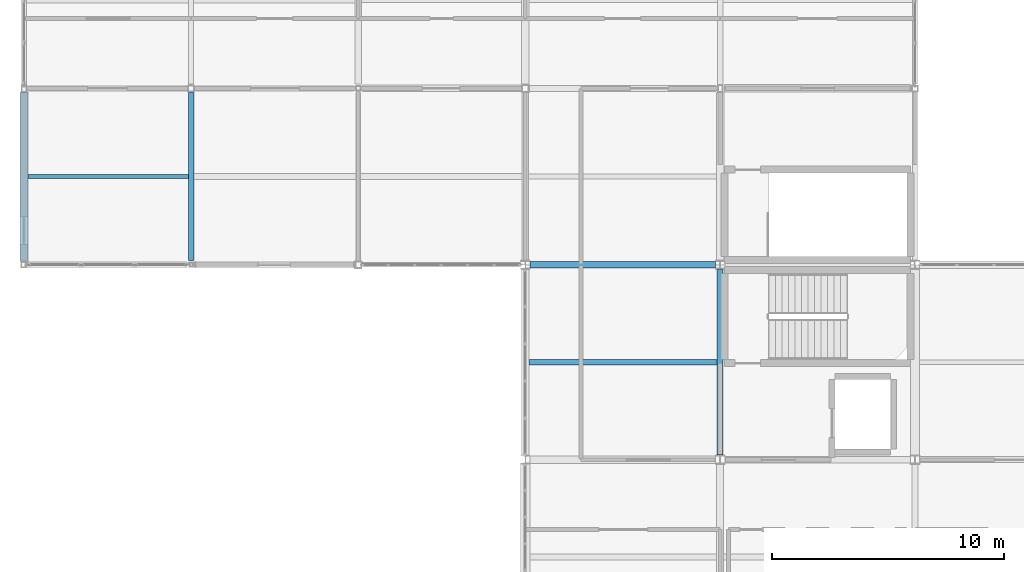
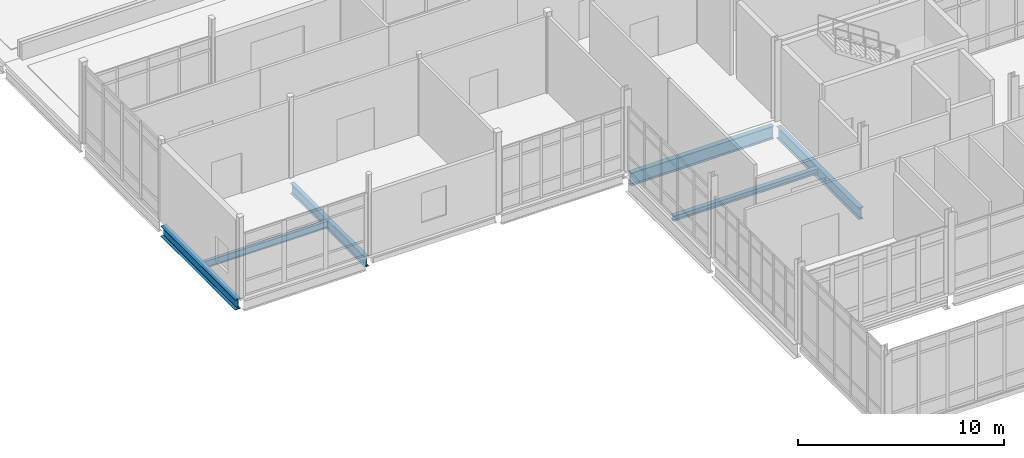
# One storey, part 32 of 186: 6 beams.
"""IFC4 building model written with IfcOpenShell, lengths in metres."""

from ifc_helpers import new_model, si_unit, direction, frame, origin, origin_2d, place, context, subcontext, project, spatial, i_section, extrude, material, material_profile, profile_set, type_object, element, save


model = new_model("IFC4")

# Units and contexts
model_context = context("Model", 3, precision=1e-05, world=origin(), true_north=direction((0.0, 1.0)))
body_context = subcontext(model_context, "Body", "Model", "MODEL_VIEW")
ifc_project = project(units=[si_unit("LENGTHUNIT", "METRE"), si_unit("AREAUNIT", "SQUARE_METRE"), si_unit("VOLUMEUNIT", "CUBIC_METRE"), si_unit("PLANEANGLEUNIT", "RADIAN"), si_unit("MASSUNIT", "GRAM", prefix="KILO")], contexts=[model_context])

# Site, building, storey
site_placement = place(None, origin())
site = spatial("IfcSite", under=ifc_project, at=site_placement, CompositionType="ELEMENT")
building_placement = place(site_placement, origin())
building = spatial("IfcBuilding", under=site, at=building_placement, Name="Calvrana Isthmian Art Gallery", CompositionType="ELEMENT")
storey_placement = place(building_placement, frame((0.0, 0.0, 5.39990234375)))
storey = spatial("IfcBuildingStorey", under=building, at=storey_placement, Name="L01", CompositionType="ELEMENT", Elevation=5.39990234375)

# Beams
ifc_material = material(Name="Steel ASTM A992 Gr 50", Category="steel")
ifc_material_profile_1 = material_profile(ifc_material, i_section(OverallWidth=0.324951171875, OverallDepth=0.612060546875, WebThickness=0.0126953125, FlangeThickness=0.01904296875, FilletRadius=0.02197265625, at=origin_2d()), Name="W24X104")
ifc_profile_set_1 = profile_set([ifc_material_profile_1], Name="Steel ASTM A992 Gr 50")
beam_type_1 = type_object("IfcBeamType", Name="BM-G-W24X104", PredefinedType="BEAM", material=ifc_profile_set_1)
beam_1_placement = place(storey_placement, frame((0.0, 46.986572265625, -0.55078125), z_axis=(0.0, 1.0, 0.0), x_axis=(-1.0, 0.0, 0.0)))
element("IfcBeam", 1, at=beam_1_placement, inside=storey, type_object=beam_type_1, Name="Girder Y L01 01/G-H", PredefinedType="BEAM", context=body_context, shape_type="SweptSolid", body=[
    extrude(i_section(OverallWidth=0.324951171875, OverallDepth=0.612060546875, WebThickness=0.0126953125, FlangeThickness=0.01904296875, FilletRadius=0.02197265625, at=origin_2d()), origin(), (0.0, 0.0, 1.0), 7.2353515625),
])
ifc_material_profile_2 = material_profile(ifc_material, i_section(OverallWidth=0.22802734375, OverallDepth=0.60693359375, WebThickness=0.01123046875, FlangeThickness=0.017333984375, FilletRadius=0.02197265625, at=origin_2d()), Name="W24X76")
ifc_profile_set_2 = profile_set([ifc_material_profile_2], Name="Steel ASTM A992 Gr 50")
beam_type_2 = type_object("IfcBeamType", Name="BM-G-W24X76", PredefinedType="BEAM", material=ifc_profile_set_2)
beam_2_placement = place(storey_placement, frame((7.199951171875, 46.98388671875, -0.54833984375), z_axis=(0.0, 1.0, 0.0), x_axis=(-1.0, 0.0, 0.0)))
element("IfcBeam", 2, at=beam_2_placement, inside=storey, type_object=beam_type_2, Name="Girder Y L01 02/G-H", PredefinedType="BEAM", context=body_context, shape_type="SweptSolid", body=[
    extrude(i_section(OverallWidth=0.22802734375, OverallDepth=0.60693359375, WebThickness=0.01123046875, FlangeThickness=0.017333984375, FilletRadius=0.02197265625, at=origin_2d()), origin(), (0.0, 0.0, 1.0), 7.2294921875),
])
ifc_material_profile_3 = material_profile(ifc_material, i_section(OverallWidth=0.257080078125, OverallDepth=0.693115234375, WebThickness=0.014404296875, FlangeThickness=0.023681640625, FilletRadius=0.02392578125, at=origin_2d()), Name="W27X114")
ifc_profile_set_3 = profile_set([ifc_material_profile_3], Name="Steel ASTM A992 Gr 50")
beam_type_3 = type_object("IfcBeamType", Name="BM-G-W27X114", PredefinedType="BEAM", material=ifc_profile_set_3)
beam_3_placement = place(storey_placement, frame((30.0, 38.590576171875, -0.59130859375), z_axis=(0.0, 1.0, 0.0), x_axis=(-1.0, 0.0, 0.0)))
element("IfcBeam", 3, at=beam_3_placement, inside=storey, type_object=beam_type_3, Name="Girder Y L01 05/F-G", PredefinedType="BEAM", context=body_context, shape_type="SweptSolid", body=[
    extrude(i_section(OverallWidth=0.257080078125, OverallDepth=0.693115234375, WebThickness=0.014404296875, FlangeThickness=0.023681640625, FilletRadius=0.02392578125, at=origin_2d()), origin(), (0.0, 0.0, 1.0), 8.0009765625),
])
ifc_material_profile_4 = material_profile(ifc_material, i_section(OverallWidth=0.26708984375, OverallDepth=0.761962890625, WebThickness=0.014404296875, FlangeThickness=0.021484375, FilletRadius=0.02490234375, at=origin_2d()), Name="W30X116")
ifc_profile_set_4 = profile_set([ifc_material_profile_4], Name="Steel ASTM A992 Gr 50")
beam_type_4 = type_object("IfcBeamType", Name="BM-G-W30X116", PredefinedType="BEAM", material=ifc_profile_set_4)
beam_4_placement = place(storey_placement, frame((21.799560546875, 46.800048828125, -0.6259765625), z_axis=(1.0, 0.0, 0.0), x_axis=(0.0, 1.0, 0.0)))
element("IfcBeam", 4, at=beam_4_placement, inside=storey, type_object=beam_type_4, Name="Girder X L01 04-05/G", PredefinedType="BEAM", context=body_context, shape_type="SweptSolid", body=[
    extrude(i_section(OverallWidth=0.26708984375, OverallDepth=0.761962890625, WebThickness=0.014404296875, FlangeThickness=0.021484375, FilletRadius=0.02490234375, at=origin_2d()), origin(), (0.0, 0.0, 1.0), 7.99755859375),
])
ifc_material_profile_5 = material_profile(ifc_material, i_section(OverallWidth=0.25390625, OverallDepth=0.306884765625, WebThickness=0.0087890625, FlangeThickness=0.0146484375, FilletRadius=0.01611328125, at=origin_2d()), Name="W12X53")
ifc_profile_set_5 = profile_set([ifc_material_profile_5], Name="Steel ASTM A992 Gr 50")
beam_type_5 = type_object("IfcBeamType", Name="BM-J-W12X53", PredefinedType="JOIST", material=ifc_profile_set_5)
beam_5_placement = place(storey_placement, frame((21.75341796875, 42.60009765625, -0.3984375), z_axis=(1.0, 0.0, 0.0), x_axis=(0.0, 1.0, 0.0)))
element("IfcBeam", 5, at=beam_5_placement, inside=storey, type_object=beam_type_5, Name="Composite joist L01 bay 03-05", PredefinedType="JOIST", context=body_context, shape_type="SweptSolid", body=[
    extrude(i_section(OverallWidth=0.25390625, OverallDepth=0.306884765625, WebThickness=0.0087890625, FlangeThickness=0.0146484375, FilletRadius=0.01611328125, at=origin_2d()), origin(), (0.0, 0.0, 1.0), 8.1181640625),
])
ifc_material_profile_6 = material_profile(ifc_material, i_section(OverallWidth=0.177978515625, OverallDepth=0.404052734375, WebThickness=0.007568359375, FlangeThickness=0.010986328125, FilletRadius=0.01806640625, at=origin_2d()), Name="W16X36")
ifc_profile_set_6 = profile_set([ifc_material_profile_6], Name="Steel ASTM A992 Gr 50")
beam_type_6 = type_object("IfcBeamType", Name="BM-J-W16X36", PredefinedType="JOIST", material=ifc_profile_set_6)
beam_6_placement = place(storey_placement, frame((0.16259765625, 50.60009765625, -0.447021484375), z_axis=(1.0, 0.0, 0.0), x_axis=(0.0, 1.0, 0.0)))
element("IfcBeam", 6, at=beam_6_placement, inside=storey, type_object=beam_type_6, Name="Composite joist L01 bay 00-06", PredefinedType="JOIST", context=body_context, shape_type="SweptSolid", body=[
    extrude(i_section(OverallWidth=0.177978515625, OverallDepth=0.404052734375, WebThickness=0.007568359375, FlangeThickness=0.010986328125, FilletRadius=0.01806640625, at=origin_2d()), origin(), (0.0, 0.0, 1.0), 6.92333984375),
])

save(model, "model.ifc")
